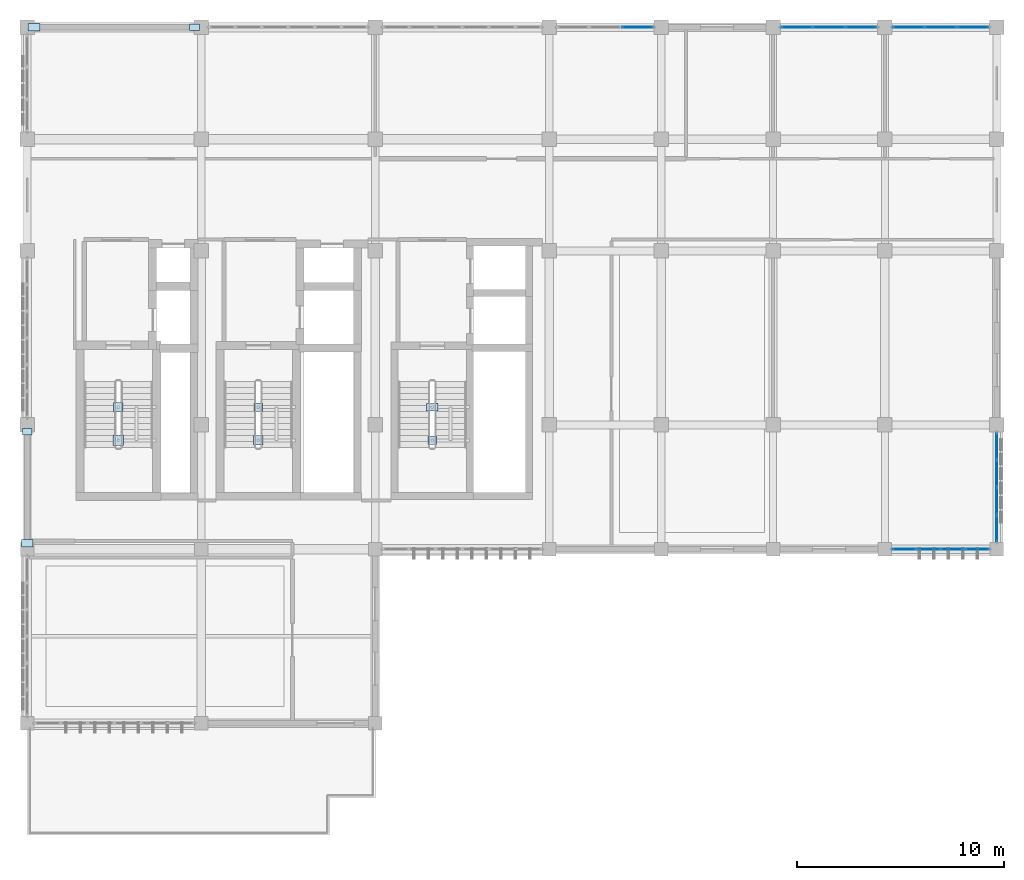
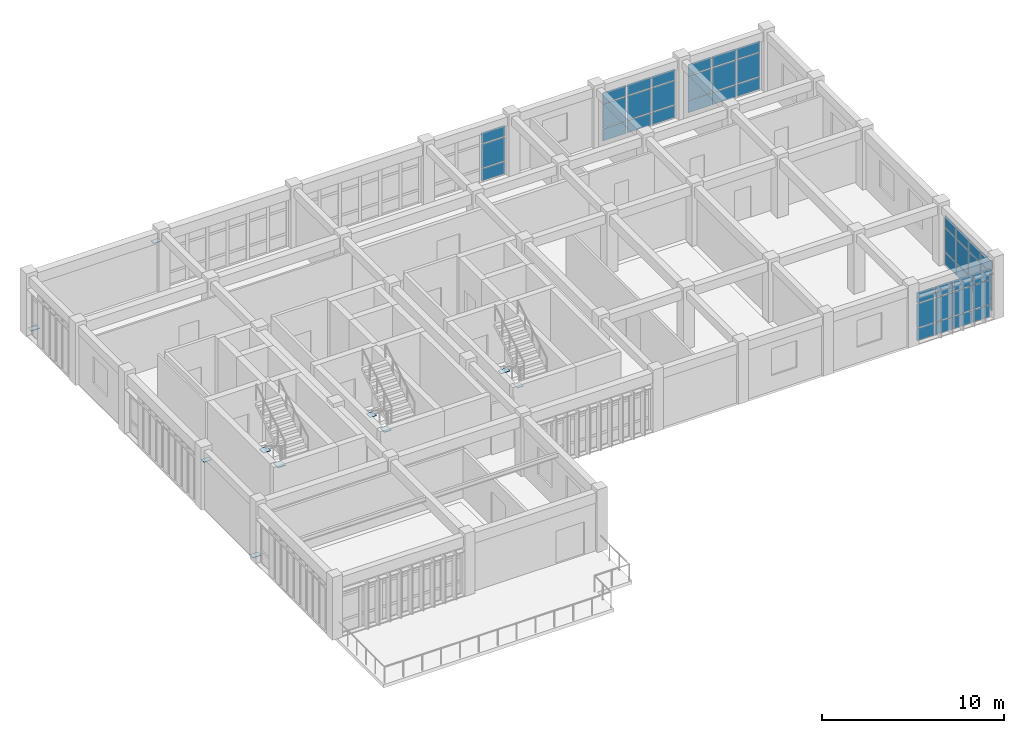
# One storey, part 18 of 23: 55 plates, 5 elements without a shape of their own.
"""IFC4 building model written with IfcOpenShell, lengths in metres."""

from ifc_helpers import new_model, si_unit, direction, frame, origin, origin_2d, place, context, subcontext, project, spatial, rectangle, extrude, material, layer, layer_set, type_object, element, aggregate, save


model = new_model("IFC4")

# Units and contexts
model_context = context("Model", 3, precision=1e-05, world=origin(), true_north=direction((0.0, 1.0)))
body_context = subcontext(model_context, "Body", "Model", "MODEL_VIEW")
ifc_project = project(units=[si_unit("LENGTHUNIT", "METRE"), si_unit("AREAUNIT", "SQUARE_METRE"), si_unit("VOLUMEUNIT", "CUBIC_METRE"), si_unit("PLANEANGLEUNIT", "RADIAN"), si_unit("MASSUNIT", "GRAM", prefix="KILO")], contexts=[model_context])

# Site, building, storey
site_placement = place(None, origin())
site = spatial("IfcSite", under=ifc_project, at=site_placement, CompositionType="ELEMENT")
building_placement = place(site_placement, origin())
building = spatial("IfcBuilding", under=site, at=building_placement, Name="Krzemoval Escarpment Law Courts", CompositionType="ELEMENT")
storey_placement = place(building_placement, frame((0.0, 0.0, 25.199951171875)))
storey = spatial("IfcBuildingStorey", under=building, at=storey_placement, Name="L05", CompositionType="ELEMENT", Elevation=25.199951171875)

# Curtain wall, plates
ifc_material_1 = material(Name="Aluminium 6063-T6", Category="aluminium")
ifc_layer_1 = layer(ifc_material_1, 0.219970703125)
ifc_layer_set_1 = layer_set([ifc_layer_1], Name="Aluminium 6063-T6")
curtain_wall_type = type_object("IfcCurtainWallType", Name="CW-CHMB-4200", PredefinedType="USERDEFINED", material=ifc_layer_set_1)
curtain_wall_1_placement = place(storey_placement, origin())
curtain_wall_1 = element("IfcCurtainWall", 1, at=curtain_wall_1_placement, inside=storey, type_object=curtain_wall_type, Name="Unitised Curtain Wall FCW-L05-139", ObjectType="UNITISED_CURTAIN_WALL", PredefinedType="USERDEFINED")
ifc_material_2 = material(Name="Triple Glazing IGU", Category="glass")
ifc_layer_2 = layer(ifc_material_2, 0.0419921875)
ifc_layer_set_2 = layer_set([ifc_layer_2], Name="Triple Glazing IGU")
plate_type_1 = type_object("IfcPlateType", Name="CWP-GLZ-42", PredefinedType="CURTAIN_PANEL", material=ifc_layer_set_2)
plate_1_placement = place(storey_placement, frame((155.450439453125, 118.800048828125, 0.06494140625), z_axis=(0.0, 0.0, 1.0), x_axis=(1.0, 0.0, 0.0)))
plate_1 = element("IfcPlate", 2, at=plate_1_placement, type_object=plate_type_1, Name="FCW-L05-139 panel 3.1", PredefinedType="CURTAIN_PANEL", context=body_context, shape_type="SweptSolid", body=[
    extrude(rectangle(XDim=1.46923828125, YDim=0.0419921875, at=origin_2d()), origin(), (0.0, 0.0, 1.0), 0.802490234375),
])
plate_2_placement = place(storey_placement, frame((155.450439453125, 118.800048828125, 0.9326171875), z_axis=(0.0, 0.0, 1.0), x_axis=(1.0, 0.0, 0.0)))
plate_2 = element("IfcPlate", 3, at=plate_2_placement, type_object=plate_type_1, Name="FCW-L05-139 panel 3.2", PredefinedType="CURTAIN_PANEL", context=body_context, shape_type="SweptSolid", body=[
    extrude(rectangle(XDim=1.46923828125, YDim=0.0419921875, at=origin_2d()), origin(), (0.0, 0.0, 1.0), 1.5849609375),
])
plate_3_placement = place(storey_placement, frame((155.450439453125, 118.800048828125, 2.58251953125), z_axis=(0.0, 0.0, 1.0), x_axis=(1.0, 0.0, 0.0)))
plate_3 = element("IfcPlate", 4, at=plate_3_placement, type_object=plate_type_1, Name="FCW-L05-139 panel 3.3", PredefinedType="CURTAIN_PANEL", context=body_context, shape_type="SweptSolid", body=[
    extrude(rectangle(XDim=1.46923828125, YDim=0.0419921875, at=origin_2d()), origin(), (0.0, 0.0, 1.0), 0.702392578125),
])
aggregate(curtain_wall_1, [plate_1, plate_2, plate_3])

curtain_wall_2_placement = place(storey_placement, origin())
curtain_wall_2 = element("IfcCurtainWall", 5, at=curtain_wall_2_placement, inside=storey, type_object=curtain_wall_type, Name="Unitised Curtain Wall FCW-L05-140", ObjectType="UNITISED_CURTAIN_WALL", PredefinedType="USERDEFINED")
plate_4_placement = place(storey_placement, frame((163.149658203125, 118.800048828125, 0.06494140625), z_axis=(0.0, 0.0, 1.0), x_axis=(1.0, 0.0, 0.0)))
plate_4 = element("IfcPlate", 6, at=plate_4_placement, type_object=plate_type_1, Name="FCW-L05-140 panel 1.1", PredefinedType="CURTAIN_PANEL", context=body_context, shape_type="SweptSolid", body=[
    extrude(rectangle(XDim=1.46923828125, YDim=0.0419921875, at=origin_2d()), origin(), (0.0, 0.0, 1.0), 0.802490234375),
])
plate_5_placement = place(storey_placement, frame((163.149658203125, 118.800048828125, 0.9326171875), z_axis=(0.0, 0.0, 1.0), x_axis=(1.0, 0.0, 0.0)))
plate_5 = element("IfcPlate", 7, at=plate_5_placement, type_object=plate_type_1, Name="FCW-L05-140 panel 1.2", PredefinedType="CURTAIN_PANEL", context=body_context, shape_type="SweptSolid", body=[
    extrude(rectangle(XDim=1.46923828125, YDim=0.0419921875, at=origin_2d()), origin(), (0.0, 0.0, 1.0), 1.5849609375),
])
plate_6_placement = place(storey_placement, frame((163.149658203125, 118.800048828125, 2.58251953125), z_axis=(0.0, 0.0, 1.0), x_axis=(1.0, 0.0, 0.0)))
plate_6 = element("IfcPlate", 8, at=plate_6_placement, type_object=plate_type_1, Name="FCW-L05-140 panel 1.3", PredefinedType="CURTAIN_PANEL", context=body_context, shape_type="SweptSolid", body=[
    extrude(rectangle(XDim=1.46923828125, YDim=0.0419921875, at=origin_2d()), origin(), (0.0, 0.0, 1.0), 0.702392578125),
])
plate_7_placement = place(storey_placement, frame((164.699951171875, 118.800048828125, 0.06494140625), z_axis=(0.0, 0.0, 1.0), x_axis=(1.0, 0.0, 0.0)))
plate_7 = element("IfcPlate", 9, at=plate_7_placement, type_object=plate_type_1, Name="FCW-L05-140 panel 2.1", PredefinedType="CURTAIN_PANEL", context=body_context, shape_type="SweptSolid", body=[
    extrude(rectangle(XDim=1.501708984375, YDim=0.0419921875, at=origin_2d()), origin(), (0.0, 0.0, 1.0), 0.802490234375),
])
plate_8_placement = place(storey_placement, frame((164.699951171875, 118.800048828125, 0.9326171875), z_axis=(0.0, 0.0, 1.0), x_axis=(1.0, 0.0, 0.0)))
plate_8 = element("IfcPlate", 10, at=plate_8_placement, type_object=plate_type_1, Name="FCW-L05-140 panel 2.2", PredefinedType="CURTAIN_PANEL", context=body_context, shape_type="SweptSolid", body=[
    extrude(rectangle(XDim=1.501708984375, YDim=0.0419921875, at=origin_2d()), origin(), (0.0, 0.0, 1.0), 1.5849609375),
])
plate_9_placement = place(storey_placement, frame((164.699951171875, 118.800048828125, 2.58251953125), z_axis=(0.0, 0.0, 1.0), x_axis=(1.0, 0.0, 0.0)))
plate_9 = element("IfcPlate", 11, at=plate_9_placement, type_object=plate_type_1, Name="FCW-L05-140 panel 2.3", PredefinedType="CURTAIN_PANEL", context=body_context, shape_type="SweptSolid", body=[
    extrude(rectangle(XDim=1.501708984375, YDim=0.0419921875, at=origin_2d()), origin(), (0.0, 0.0, 1.0), 0.702392578125),
])
plate_10_placement = place(storey_placement, frame((166.25048828125, 118.800048828125, 0.06494140625), z_axis=(0.0, 0.0, 1.0), x_axis=(1.0, 0.0, 0.0)))
plate_10 = element("IfcPlate", 12, at=plate_10_placement, type_object=plate_type_1, Name="FCW-L05-140 panel 3.1", PredefinedType="CURTAIN_PANEL", context=body_context, shape_type="SweptSolid", body=[
    extrude(rectangle(XDim=1.46923828125, YDim=0.0419921875, at=origin_2d()), origin(), (0.0, 0.0, 1.0), 0.802490234375),
])
plate_11_placement = place(storey_placement, frame((166.25048828125, 118.800048828125, 0.9326171875), z_axis=(0.0, 0.0, 1.0), x_axis=(1.0, 0.0, 0.0)))
plate_11 = element("IfcPlate", 13, at=plate_11_placement, type_object=plate_type_1, Name="FCW-L05-140 panel 3.2", PredefinedType="CURTAIN_PANEL", context=body_context, shape_type="SweptSolid", body=[
    extrude(rectangle(XDim=1.46923828125, YDim=0.0419921875, at=origin_2d()), origin(), (0.0, 0.0, 1.0), 1.5849609375),
])
plate_12_placement = place(storey_placement, frame((166.25048828125, 118.800048828125, 2.58251953125), z_axis=(0.0, 0.0, 1.0), x_axis=(1.0, 0.0, 0.0)))
plate_12 = element("IfcPlate", 14, at=plate_12_placement, type_object=plate_type_1, Name="FCW-L05-140 panel 3.3", PredefinedType="CURTAIN_PANEL", context=body_context, shape_type="SweptSolid", body=[
    extrude(rectangle(XDim=1.46923828125, YDim=0.0419921875, at=origin_2d()), origin(), (0.0, 0.0, 1.0), 0.702392578125),
])
aggregate(curtain_wall_2, [plate_4, plate_5, plate_6, plate_7, plate_8, plate_9, plate_10, plate_11, plate_12])

curtain_wall_3_placement = place(storey_placement, origin())
curtain_wall_3 = element("IfcCurtainWall", 15, at=curtain_wall_3_placement, inside=storey, type_object=curtain_wall_type, Name="Unitised Curtain Wall FCW-L05-141", ObjectType="UNITISED_CURTAIN_WALL", PredefinedType="USERDEFINED")
plate_13_placement = place(storey_placement, frame((168.549560546875, 118.800048828125, 0.06494140625), z_axis=(0.0, 0.0, 1.0), x_axis=(1.0, 0.0, 0.0)))
plate_13 = element("IfcPlate", 16, at=plate_13_placement, type_object=plate_type_1, Name="FCW-L05-141 panel 1.1", PredefinedType="CURTAIN_PANEL", context=body_context, shape_type="SweptSolid", body=[
    extrude(rectangle(XDim=1.46923828125, YDim=0.0419921875, at=origin_2d()), origin(), (0.0, 0.0, 1.0), 0.802490234375),
])
plate_14_placement = place(storey_placement, frame((168.549560546875, 118.800048828125, 0.9326171875), z_axis=(0.0, 0.0, 1.0), x_axis=(1.0, 0.0, 0.0)))
plate_14 = element("IfcPlate", 17, at=plate_14_placement, type_object=plate_type_1, Name="FCW-L05-141 panel 1.2", PredefinedType="CURTAIN_PANEL", context=body_context, shape_type="SweptSolid", body=[
    extrude(rectangle(XDim=1.46923828125, YDim=0.0419921875, at=origin_2d()), origin(), (0.0, 0.0, 1.0), 1.5849609375),
])
plate_15_placement = place(storey_placement, frame((168.549560546875, 118.800048828125, 2.58251953125), z_axis=(0.0, 0.0, 1.0), x_axis=(1.0, 0.0, 0.0)))
plate_15 = element("IfcPlate", 18, at=plate_15_placement, type_object=plate_type_1, Name="FCW-L05-141 panel 1.3", PredefinedType="CURTAIN_PANEL", context=body_context, shape_type="SweptSolid", body=[
    extrude(rectangle(XDim=1.46923828125, YDim=0.0419921875, at=origin_2d()), origin(), (0.0, 0.0, 1.0), 0.702392578125),
])
plate_16_placement = place(storey_placement, frame((170.10009765625, 118.800048828125, 0.06494140625), z_axis=(0.0, 0.0, 1.0), x_axis=(1.0, 0.0, 0.0)))
plate_16 = element("IfcPlate", 19, at=plate_16_placement, type_object=plate_type_1, Name="FCW-L05-141 panel 2.1", PredefinedType="CURTAIN_PANEL", context=body_context, shape_type="SweptSolid", body=[
    extrude(rectangle(XDim=1.501708984375, YDim=0.0419921875, at=origin_2d()), origin(), (0.0, 0.0, 1.0), 0.802490234375),
])
plate_17_placement = place(storey_placement, frame((170.10009765625, 118.800048828125, 0.9326171875), z_axis=(0.0, 0.0, 1.0), x_axis=(1.0, 0.0, 0.0)))
plate_17 = element("IfcPlate", 20, at=plate_17_placement, type_object=plate_type_1, Name="FCW-L05-141 panel 2.2", PredefinedType="CURTAIN_PANEL", context=body_context, shape_type="SweptSolid", body=[
    extrude(rectangle(XDim=1.501708984375, YDim=0.0419921875, at=origin_2d()), origin(), (0.0, 0.0, 1.0), 1.5849609375),
])
plate_18_placement = place(storey_placement, frame((170.10009765625, 118.800048828125, 2.58251953125), z_axis=(0.0, 0.0, 1.0), x_axis=(1.0, 0.0, 0.0)))
plate_18 = element("IfcPlate", 21, at=plate_18_placement, type_object=plate_type_1, Name="FCW-L05-141 panel 2.3", PredefinedType="CURTAIN_PANEL", context=body_context, shape_type="SweptSolid", body=[
    extrude(rectangle(XDim=1.501708984375, YDim=0.0419921875, at=origin_2d()), origin(), (0.0, 0.0, 1.0), 0.702392578125),
])
plate_19_placement = place(storey_placement, frame((171.650390625, 118.800048828125, 0.06494140625), z_axis=(0.0, 0.0, 1.0), x_axis=(1.0, 0.0, 0.0)))
plate_19 = element("IfcPlate", 22, at=plate_19_placement, type_object=plate_type_1, Name="FCW-L05-141 panel 3.1", PredefinedType="CURTAIN_PANEL", context=body_context, shape_type="SweptSolid", body=[
    extrude(rectangle(XDim=1.46923828125, YDim=0.0419921875, at=origin_2d()), origin(), (0.0, 0.0, 1.0), 0.802490234375),
])
plate_20_placement = place(storey_placement, frame((171.650390625, 118.800048828125, 0.9326171875), z_axis=(0.0, 0.0, 1.0), x_axis=(1.0, 0.0, 0.0)))
plate_20 = element("IfcPlate", 23, at=plate_20_placement, type_object=plate_type_1, Name="FCW-L05-141 panel 3.2", PredefinedType="CURTAIN_PANEL", context=body_context, shape_type="SweptSolid", body=[
    extrude(rectangle(XDim=1.46923828125, YDim=0.0419921875, at=origin_2d()), origin(), (0.0, 0.0, 1.0), 1.5849609375),
])
plate_21_placement = place(storey_placement, frame((171.650390625, 118.800048828125, 2.58251953125), z_axis=(0.0, 0.0, 1.0), x_axis=(1.0, 0.0, 0.0)))
plate_21 = element("IfcPlate", 24, at=plate_21_placement, type_object=plate_type_1, Name="FCW-L05-141 panel 3.3", PredefinedType="CURTAIN_PANEL", context=body_context, shape_type="SweptSolid", body=[
    extrude(rectangle(XDim=1.46923828125, YDim=0.0419921875, at=origin_2d()), origin(), (0.0, 0.0, 1.0), 0.702392578125),
])
aggregate(curtain_wall_3, [plate_13, plate_14, plate_15, plate_16, plate_17, plate_18, plate_19, plate_20, plate_21])

curtain_wall_4_placement = place(storey_placement, origin())
curtain_wall_4 = element("IfcCurtainWall", 25, at=curtain_wall_4_placement, inside=storey, type_object=curtain_wall_type, Name="Unitised Curtain Wall FCW-L05-142", ObjectType="UNITISED_CURTAIN_WALL", PredefinedType="USERDEFINED")
plate_22_placement = place(storey_placement, frame((172.800048828125, 98.568115234375, 0.06494140625), z_axis=(0.0, 0.0, 1.0), x_axis=(0.0, -1.0, 0.0)))
plate_22 = element("IfcPlate", 26, at=plate_22_placement, type_object=plate_type_1, Name="FCW-L05-142 panel 1.1", PredefinedType="CURTAIN_PANEL", context=body_context, shape_type="SweptSolid", body=[
    extrude(rectangle(XDim=1.233642578125, YDim=0.0419921875, at=origin_2d()), origin(), (0.0, 0.0, 1.0), 0.802490234375),
])
plate_23_placement = place(storey_placement, frame((172.800048828125, 98.568115234375, 0.9326171875), z_axis=(0.0, 0.0, 1.0), x_axis=(0.0, -1.0, 0.0)))
plate_23 = element("IfcPlate", 27, at=plate_23_placement, type_object=plate_type_1, Name="FCW-L05-142 panel 1.2", PredefinedType="CURTAIN_PANEL", context=body_context, shape_type="SweptSolid", body=[
    extrude(rectangle(XDim=1.233642578125, YDim=0.0419921875, at=origin_2d()), origin(), (0.0, 0.0, 1.0), 1.5849609375),
])
plate_24_placement = place(storey_placement, frame((172.800048828125, 98.568115234375, 2.58251953125), z_axis=(0.0, 0.0, 1.0), x_axis=(0.0, -1.0, 0.0)))
plate_24 = element("IfcPlate", 28, at=plate_24_placement, type_object=plate_type_1, Name="FCW-L05-142 panel 1.3", PredefinedType="CURTAIN_PANEL", context=body_context, shape_type="SweptSolid", body=[
    extrude(rectangle(XDim=1.233642578125, YDim=0.0419921875, at=origin_2d()), origin(), (0.0, 0.0, 1.0), 0.75244140625),
])
plate_25_placement = place(storey_placement, frame((172.800048828125, 97.253173828125, 0.06494140625), z_axis=(0.0, 0.0, 1.0), x_axis=(0.0, -1.0, 0.0)))
plate_25 = element("IfcPlate", 29, at=plate_25_placement, type_object=plate_type_1, Name="FCW-L05-142 panel 2.1", PredefinedType="CURTAIN_PANEL", context=body_context, shape_type="SweptSolid", body=[
    extrude(rectangle(XDim=1.266357421875, YDim=0.0419921875, at=origin_2d()), origin(), (0.0, 0.0, 1.0), 0.802490234375),
])
plate_26_placement = place(storey_placement, frame((172.800048828125, 97.253173828125, 0.9326171875), z_axis=(0.0, 0.0, 1.0), x_axis=(0.0, -1.0, 0.0)))
plate_26 = element("IfcPlate", 30, at=plate_26_placement, type_object=plate_type_1, Name="FCW-L05-142 panel 2.2", PredefinedType="CURTAIN_PANEL", context=body_context, shape_type="SweptSolid", body=[
    extrude(rectangle(XDim=1.266357421875, YDim=0.0419921875, at=origin_2d()), origin(), (0.0, 0.0, 1.0), 1.5849609375),
])
plate_27_placement = place(storey_placement, frame((172.800048828125, 97.253173828125, 2.58251953125), z_axis=(0.0, 0.0, 1.0), x_axis=(0.0, -1.0, 0.0)))
plate_27 = element("IfcPlate", 31, at=plate_27_placement, type_object=plate_type_1, Name="FCW-L05-142 panel 2.3", PredefinedType="CURTAIN_PANEL", context=body_context, shape_type="SweptSolid", body=[
    extrude(rectangle(XDim=1.266357421875, YDim=0.0419921875, at=origin_2d()), origin(), (0.0, 0.0, 1.0), 0.75244140625),
])
plate_28_placement = place(storey_placement, frame((172.800048828125, 95.921875, 0.06494140625), z_axis=(0.0, 0.0, 1.0), x_axis=(0.0, -1.0, 0.0)))
plate_28 = element("IfcPlate", 32, at=plate_28_placement, type_object=plate_type_1, Name="FCW-L05-142 panel 3.1", PredefinedType="CURTAIN_PANEL", context=body_context, shape_type="SweptSolid", body=[
    extrude(rectangle(XDim=1.266357421875, YDim=0.0419921875, at=origin_2d()), origin(), (0.0, 0.0, 1.0), 0.802490234375),
])
plate_29_placement = place(storey_placement, frame((172.800048828125, 95.921875, 0.9326171875), z_axis=(0.0, 0.0, 1.0), x_axis=(0.0, -1.0, 0.0)))
plate_29 = element("IfcPlate", 33, at=plate_29_placement, type_object=plate_type_1, Name="FCW-L05-142 panel 3.2", PredefinedType="CURTAIN_PANEL", context=body_context, shape_type="SweptSolid", body=[
    extrude(rectangle(XDim=1.266357421875, YDim=0.0419921875, at=origin_2d()), origin(), (0.0, 0.0, 1.0), 1.5849609375),
])
plate_30_placement = place(storey_placement, frame((172.800048828125, 95.921875, 2.58251953125), z_axis=(0.0, 0.0, 1.0), x_axis=(0.0, -1.0, 0.0)))
plate_30 = element("IfcPlate", 34, at=plate_30_placement, type_object=plate_type_1, Name="FCW-L05-142 panel 3.3", PredefinedType="CURTAIN_PANEL", context=body_context, shape_type="SweptSolid", body=[
    extrude(rectangle(XDim=1.266357421875, YDim=0.0419921875, at=origin_2d()), origin(), (0.0, 0.0, 1.0), 0.75244140625),
])
plate_31_placement = place(storey_placement, frame((172.800048828125, 94.60693359375, 0.06494140625), z_axis=(0.0, 0.0, 1.0), x_axis=(0.0, -1.0, 0.0)))
plate_31 = element("IfcPlate", 35, at=plate_31_placement, type_object=plate_type_1, Name="FCW-L05-142 panel 4.1", PredefinedType="CURTAIN_PANEL", context=body_context, shape_type="SweptSolid", body=[
    extrude(rectangle(XDim=1.233642578125, YDim=0.0419921875, at=origin_2d()), origin(), (0.0, 0.0, 1.0), 0.802490234375),
])
plate_32_placement = place(storey_placement, frame((172.800048828125, 94.60693359375, 0.9326171875), z_axis=(0.0, 0.0, 1.0), x_axis=(0.0, -1.0, 0.0)))
plate_32 = element("IfcPlate", 36, at=plate_32_placement, type_object=plate_type_1, Name="FCW-L05-142 panel 4.2", PredefinedType="CURTAIN_PANEL", context=body_context, shape_type="SweptSolid", body=[
    extrude(rectangle(XDim=1.233642578125, YDim=0.0419921875, at=origin_2d()), origin(), (0.0, 0.0, 1.0), 1.5849609375),
])
plate_33_placement = place(storey_placement, frame((172.800048828125, 94.60693359375, 2.58251953125), z_axis=(0.0, 0.0, 1.0), x_axis=(0.0, -1.0, 0.0)))
plate_33 = element("IfcPlate", 37, at=plate_33_placement, type_object=plate_type_1, Name="FCW-L05-142 panel 4.3", PredefinedType="CURTAIN_PANEL", context=body_context, shape_type="SweptSolid", body=[
    extrude(rectangle(XDim=1.233642578125, YDim=0.0419921875, at=origin_2d()), origin(), (0.0, 0.0, 1.0), 0.75244140625),
])
aggregate(curtain_wall_4, [plate_22, plate_23, plate_24, plate_25, plate_26, plate_27, plate_28, plate_29, plate_30, plate_31, plate_32, plate_33])

curtain_wall_5_placement = place(storey_placement, origin())
curtain_wall_5 = element("IfcCurtainWall", 38, at=curtain_wall_5_placement, inside=storey, type_object=curtain_wall_type, Name="Unitised Curtain Wall FCW-L05-143", ObjectType="UNITISED_CURTAIN_WALL", PredefinedType="USERDEFINED")
plate_34_placement = place(storey_placement, frame((171.864990234375, 93.60009765625, 0.06494140625), z_axis=(0.0, 0.0, 1.0), x_axis=(-1.0, 0.0, 0.0)))
plate_34 = element("IfcPlate", 39, at=plate_34_placement, type_object=plate_type_1, Name="FCW-L05-143 panel 1.1", PredefinedType="CURTAIN_PANEL", context=body_context, shape_type="SweptSolid", body=[
    extrude(rectangle(XDim=1.090087890625, YDim=0.0419921875, at=origin_2d()), origin(), (0.0, 0.0, 1.0), 0.802490234375),
])
plate_35_placement = place(storey_placement, frame((171.864990234375, 93.60009765625, 0.9326171875), z_axis=(0.0, 0.0, 1.0), x_axis=(-1.0, 0.0, 0.0)))
plate_35 = element("IfcPlate", 40, at=plate_35_placement, type_object=plate_type_1, Name="FCW-L05-143 panel 1.2", PredefinedType="CURTAIN_PANEL", context=body_context, shape_type="SweptSolid", body=[
    extrude(rectangle(XDim=1.090087890625, YDim=0.0419921875, at=origin_2d()), origin(), (0.0, 0.0, 1.0), 1.5849609375),
])
plate_36_placement = place(storey_placement, frame((171.864990234375, 93.60009765625, 2.58251953125), z_axis=(0.0, 0.0, 1.0), x_axis=(-1.0, 0.0, 0.0)))
plate_36 = element("IfcPlate", 41, at=plate_36_placement, type_object=plate_type_1, Name="FCW-L05-143 panel 1.3", PredefinedType="CURTAIN_PANEL", context=body_context, shape_type="SweptSolid", body=[
    extrude(rectangle(XDim=1.090087890625, YDim=0.0419921875, at=origin_2d()), origin(), (0.0, 0.0, 1.0), 0.702392578125),
])
plate_37_placement = place(storey_placement, frame((170.69384765625, 93.60009765625, 0.06494140625), z_axis=(0.0, 0.0, 1.0), x_axis=(-1.0, 0.0, 0.0)))
plate_37 = element("IfcPlate", 42, at=plate_37_placement, type_object=plate_type_1, Name="FCW-L05-143 panel 2.1", PredefinedType="CURTAIN_PANEL", context=body_context, shape_type="SweptSolid", body=[
    extrude(rectangle(XDim=1.12255859375, YDim=0.0419921875, at=origin_2d()), origin(), (0.0, 0.0, 1.0), 0.802490234375),
])
plate_38_placement = place(storey_placement, frame((170.69384765625, 93.60009765625, 0.9326171875), z_axis=(0.0, 0.0, 1.0), x_axis=(-1.0, 0.0, 0.0)))
plate_38 = element("IfcPlate", 43, at=plate_38_placement, type_object=plate_type_1, Name="FCW-L05-143 panel 2.2", PredefinedType="CURTAIN_PANEL", context=body_context, shape_type="SweptSolid", body=[
    extrude(rectangle(XDim=1.12255859375, YDim=0.0419921875, at=origin_2d()), origin(), (0.0, 0.0, 1.0), 1.5849609375),
])
plate_39_placement = place(storey_placement, frame((170.69384765625, 93.60009765625, 2.58251953125), z_axis=(0.0, 0.0, 1.0), x_axis=(-1.0, 0.0, 0.0)))
plate_39 = element("IfcPlate", 44, at=plate_39_placement, type_object=plate_type_1, Name="FCW-L05-143 panel 2.3", PredefinedType="CURTAIN_PANEL", context=body_context, shape_type="SweptSolid", body=[
    extrude(rectangle(XDim=1.12255859375, YDim=0.0419921875, at=origin_2d()), origin(), (0.0, 0.0, 1.0), 0.702392578125),
])
plate_40_placement = place(storey_placement, frame((169.50634765625, 93.60009765625, 0.06494140625), z_axis=(0.0, 0.0, 1.0), x_axis=(-1.0, 0.0, 0.0)))
plate_40 = element("IfcPlate", 45, at=plate_40_placement, type_object=plate_type_1, Name="FCW-L05-143 panel 3.1", PredefinedType="CURTAIN_PANEL", context=body_context, shape_type="SweptSolid", body=[
    extrude(rectangle(XDim=1.12255859375, YDim=0.0419921875, at=origin_2d()), origin(), (0.0, 0.0, 1.0), 0.802490234375),
])
plate_41_placement = place(storey_placement, frame((169.50634765625, 93.60009765625, 0.9326171875), z_axis=(0.0, 0.0, 1.0), x_axis=(-1.0, 0.0, 0.0)))
plate_41 = element("IfcPlate", 46, at=plate_41_placement, type_object=plate_type_1, Name="FCW-L05-143 panel 3.2", PredefinedType="CURTAIN_PANEL", context=body_context, shape_type="SweptSolid", body=[
    extrude(rectangle(XDim=1.12255859375, YDim=0.0419921875, at=origin_2d()), origin(), (0.0, 0.0, 1.0), 1.5849609375),
])
plate_42_placement = place(storey_placement, frame((169.50634765625, 93.60009765625, 2.58251953125), z_axis=(0.0, 0.0, 1.0), x_axis=(-1.0, 0.0, 0.0)))
plate_42 = element("IfcPlate", 47, at=plate_42_placement, type_object=plate_type_1, Name="FCW-L05-143 panel 3.3", PredefinedType="CURTAIN_PANEL", context=body_context, shape_type="SweptSolid", body=[
    extrude(rectangle(XDim=1.12255859375, YDim=0.0419921875, at=origin_2d()), origin(), (0.0, 0.0, 1.0), 0.702392578125),
])
plate_43_placement = place(storey_placement, frame((168.3349609375, 93.60009765625, 0.06494140625), z_axis=(0.0, 0.0, 1.0), x_axis=(-1.0, 0.0, 0.0)))
plate_43 = element("IfcPlate", 48, at=plate_43_placement, type_object=plate_type_1, Name="FCW-L05-143 panel 4.1", PredefinedType="CURTAIN_PANEL", context=body_context, shape_type="SweptSolid", body=[
    extrude(rectangle(XDim=1.090087890625, YDim=0.0419921875, at=origin_2d()), origin(), (0.0, 0.0, 1.0), 0.802490234375),
])
plate_44_placement = place(storey_placement, frame((168.3349609375, 93.60009765625, 0.9326171875), z_axis=(0.0, 0.0, 1.0), x_axis=(-1.0, 0.0, 0.0)))
plate_44 = element("IfcPlate", 49, at=plate_44_placement, type_object=plate_type_1, Name="FCW-L05-143 panel 4.2", PredefinedType="CURTAIN_PANEL", context=body_context, shape_type="SweptSolid", body=[
    extrude(rectangle(XDim=1.090087890625, YDim=0.0419921875, at=origin_2d()), origin(), (0.0, 0.0, 1.0), 1.5849609375),
])
plate_45_placement = place(storey_placement, frame((168.3349609375, 93.60009765625, 2.58251953125), z_axis=(0.0, 0.0, 1.0), x_axis=(-1.0, 0.0, 0.0)))
plate_45 = element("IfcPlate", 50, at=plate_45_placement, type_object=plate_type_1, Name="FCW-L05-143 panel 4.3", PredefinedType="CURTAIN_PANEL", context=body_context, shape_type="SweptSolid", body=[
    extrude(rectangle(XDim=1.090087890625, YDim=0.0419921875, at=origin_2d()), origin(), (0.0, 0.0, 1.0), 0.702392578125),
])
aggregate(curtain_wall_5, [plate_34, plate_35, plate_36, plate_37, plate_38, plate_39, plate_40, plate_41, plate_42, plate_43, plate_44, plate_45])

# Plates
ifc_material_3 = material(Name="Steel S355", Category="steel")
ifc_layer_3 = layer(ifc_material_3, 0.02392578125)
ifc_layer_set_3 = layer_set([ifc_layer_3], Name="Steel S355")
plate_type_2 = type_object("IfcPlateType", Name="PLT-FLG-24", PredefinedType="USERDEFINED", material=ifc_layer_set_3)
for number, where, z_axis, x_axis, name in (
    (51, (137.14990234375, 100.4599609375, 1.658203125), (0.0, 0.0, 1.0), (1.0, 0.0, 0.0), "Gusset and End-Cap Plate ECP-0331"),
    (52, (145.550048828125, 98.860107421875, 1.658203125), (0.0, 0.0, 1.0), (1.0, 0.0, 0.0), "Gusset and End-Cap Plate ECP-0352"),
):
    element("IfcPlate", number, at=place(storey_placement, frame(where, z_axis=z_axis, x_axis=x_axis)), inside=storey, type_object=plate_type_2, Name=name, ObjectType="FLANGE_PLATE", PredefinedType="USERDEFINED", context=body_context, shape_type="SweptSolid", body=[
        extrude(rectangle(XDim=0.419921875, YDim=0.419921875, at=origin_2d()), origin(), (0.0, 0.0, 1.0), 0.02392578125),
    ])
ifc_material_4 = material(Name="Steel S355", Category="steel")
ifc_layer_4 = layer(ifc_material_4, 0.034912109375)
ifc_layer_set_4 = layer_set([ifc_layer_4], Name="Steel S355")
plate_type_3 = type_object("IfcPlateType", Name="PLT-FLG-35", PredefinedType="USERDEFINED", material=ifc_layer_set_4)
for number, where, z_axis, x_axis, name in (
    (53, (130.39990234375, 100.4599609375, 1.65283203125), (0.0, 0.0, 1.0), (1.0, 0.0, 0.0), "Gusset and End-Cap Plate ECP-0309"),
    (54, (137.14990234375, 98.860107421875, 1.65283203125), (0.0, 0.0, 1.0), (1.0, 0.0, 0.0), "Gusset and End-Cap Plate ECP-0330"),
):
    element("IfcPlate", number, at=place(storey_placement, frame(where, z_axis=z_axis, x_axis=x_axis)), inside=storey, type_object=plate_type_3, Name=name, ObjectType="FLANGE_PLATE", PredefinedType="USERDEFINED", context=body_context, shape_type="SweptSolid", body=[
        extrude(rectangle(XDim=0.4599609375, YDim=0.4599609375, at=origin_2d()), origin(), (0.0, 0.0, 1.0), 0.034912109375),
    ])
ifc_material_5 = material(Name="Steel S355", Category="steel")
ifc_layer_5 = layer(ifc_material_5, 0.0400390625)
ifc_layer_set_5 = layer_set([ifc_layer_5], Name="Steel S355")
plate_type_4 = type_object("IfcPlateType", Name="PLT-FLG-40", PredefinedType="USERDEFINED", material=ifc_layer_set_5)
plate_46_placement = place(storey_placement, frame((130.39990234375, 98.860107421875, 1.650146484375), z_axis=(0.0, 0.0, 1.0), x_axis=(1.0, 0.0, 0.0)))
element("IfcPlate", 55, at=plate_46_placement, inside=storey, type_object=plate_type_4, Name="Gusset and End-Cap Plate ECP-0308", ObjectType="FLANGE_PLATE", PredefinedType="USERDEFINED", context=body_context, shape_type="SweptSolid", body=[
    extrude(rectangle(XDim=0.5, YDim=0.5, at=origin_2d()), origin(), (0.0, 0.0, 1.0), 0.0400390625),
])
ifc_material_6 = material(Name="Steel S355", Category="steel")
ifc_layer_6 = layer(ifc_material_6, 0.02001953125)
ifc_layer_set_6 = layer_set([ifc_layer_6], Name="Steel S355")
plate_type_5 = type_object("IfcPlateType", Name="PLT-GUS-20", PredefinedType="USERDEFINED", material=ifc_layer_set_6)
for number, where, z_axis, x_axis, name in (
    (56, (126.0, 99.27490234375, 3.260009765625), (0.0, 0.0, 1.0), (1.0, 0.0, 0.0), "Gusset and End-Cap Plate ECP-0273"),
    (57, (134.074951171875, 118.800048828125, 3.260009765625), (0.0, 0.0, 1.0), (1.0, 0.0, 0.0), "Gusset and End-Cap Plate ECP-0283"),
):
    element("IfcPlate", number, at=place(storey_placement, frame(where, z_axis=z_axis, x_axis=x_axis)), inside=storey, type_object=plate_type_5, Name=name, ObjectType="GUSSET_PLATE", PredefinedType="USERDEFINED", context=body_context, shape_type="SweptSolid", body=[
        extrude(rectangle(XDim=0.47998046875, YDim=0.320068359375, at=origin_2d()), origin(), (0.0, 0.0, 1.0), 0.02001953125),
    ])
ifc_material_7 = material(Name="Steel S355", Category="steel")
ifc_layer_7 = layer(ifc_material_7, 0.030029296875)
ifc_layer_set_7 = layer_set([ifc_layer_7], Name="Steel S355")
plate_type_6 = type_object("IfcPlateType", Name="PLT-GUS-30", PredefinedType="USERDEFINED", material=ifc_layer_set_7)
for number, where, z_axis, x_axis, name in (
    (58, (126.0, 93.89990234375, 0.125), (0.0, 0.0, 1.0), (1.0, 0.0, 0.0), "Gusset and End-Cap Plate ECP-0272"),
    (59, (126.324951171875, 118.800048828125, 0.125), (0.0, 0.0, 1.0), (1.0, 0.0, 0.0), "Gusset and End-Cap Plate ECP-0282"),
    (60, (145.550048828125, 100.4599609375, 1.6552734375), (0.0, 0.0, 1.0), (1.0, 0.0, 0.0), "Gusset and End-Cap Plate ECP-0353"),
):
    element("IfcPlate", number, at=place(storey_placement, frame(where, z_axis=z_axis, x_axis=x_axis)), inside=storey, type_object=plate_type_6, Name=name, ObjectType="GUSSET_PLATE", PredefinedType="USERDEFINED", context=body_context, shape_type="SweptSolid", body=[
        extrude(rectangle(XDim=0.56005859375, YDim=0.360107421875, at=origin_2d()), origin(), (0.0, 0.0, 1.0), 0.030029296875),
    ])

save(model, "model.ifc")
